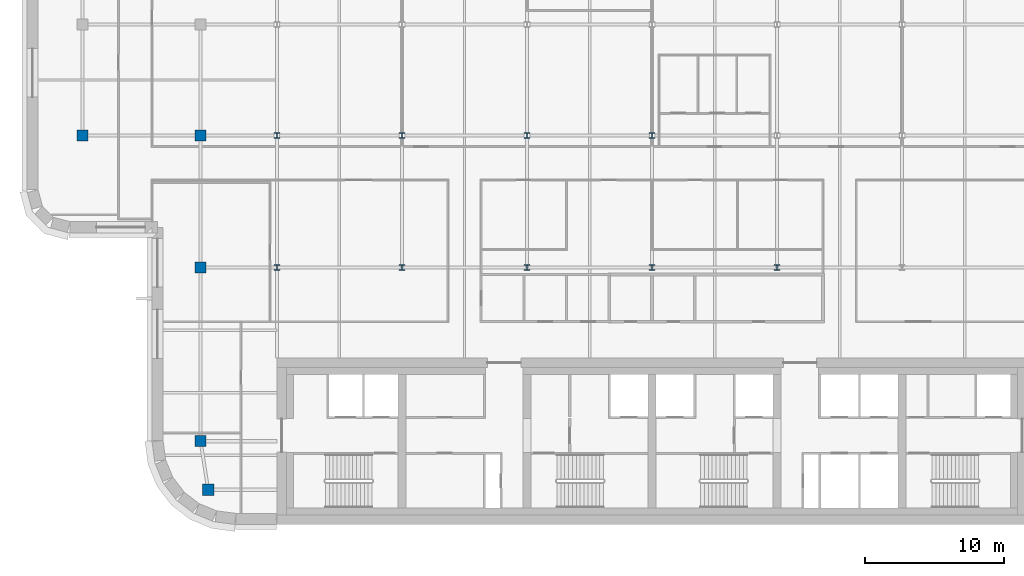
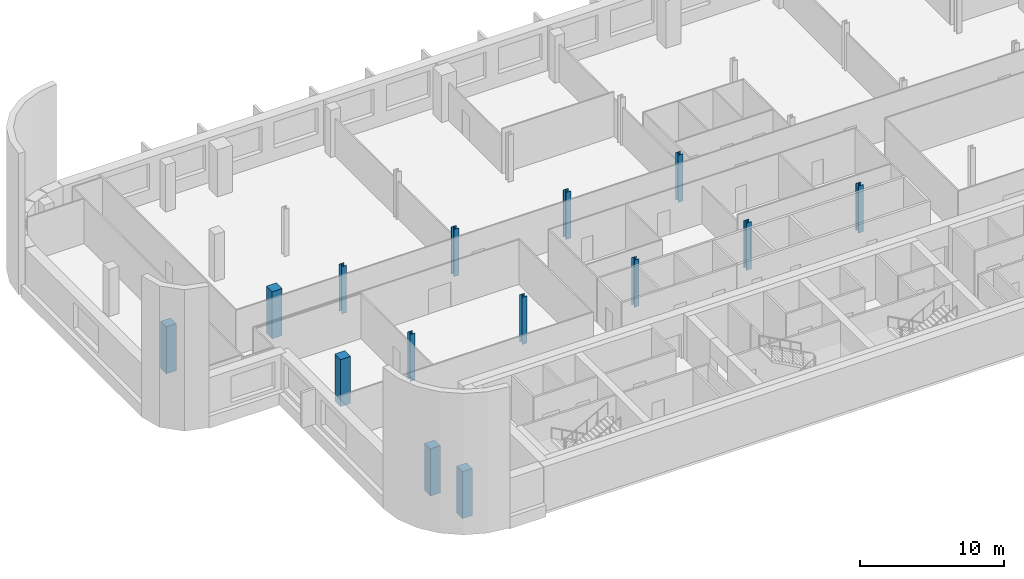
# One storey, part 1 of 16: 14 columns.
"""IFC4 building model written with IfcOpenShell, lengths in metres."""

from ifc_helpers import new_model, si_unit, direction, frame, origin, origin_2d, place, context, subcontext, project, spatial, rectangle, i_section, extrude, material, material_profile, profile_set, type_object, element, save


model = new_model("IFC4")

# Units and contexts
model_context = context("Model", 3, precision=1e-05, world=origin(), true_north=direction((0.0, 1.0)))
body_context = subcontext(model_context, "Body", "Model", "MODEL_VIEW")
ifc_project = project(units=[si_unit("LENGTHUNIT", "METRE"), si_unit("AREAUNIT", "SQUARE_METRE"), si_unit("VOLUMEUNIT", "CUBIC_METRE"), si_unit("PLANEANGLEUNIT", "RADIAN"), si_unit("MASSUNIT", "GRAM", prefix="KILO")], contexts=[model_context])

# Site, building, storey
site_placement = place(None, origin())
site = spatial("IfcSite", under=ifc_project, at=site_placement, CompositionType="ELEMENT")
building_placement = place(site_placement, origin())
building = spatial("IfcBuilding", under=site, at=building_placement, Name="Zellij Exchange Tower", CompositionType="ELEMENT")
storey_placement = place(building_placement, frame((0.0, 0.0, 244.5)))
storey = spatial("IfcBuildingStorey", under=building, at=storey_placement, Name="L57", CompositionType="ELEMENT", Elevation=244.5)

# Columns
ifc_material_1 = material(Name="Concrete C50/60", Category="concrete")
ifc_material_profile_1 = material_profile(ifc_material_1, rectangle(XDim=0.800048828125, YDim=0.800048828125, at=origin_2d()), Name="STR-COLUMN RC800x800 C50/60")
ifc_profile_set_1 = profile_set([ifc_material_profile_1], Name="Concrete C50/60")
column_type_1 = type_object("IfcColumnType", Name="STR-COLUMN RC800x800 C50/60", PredefinedType="COLUMN", material=ifc_profile_set_1)
for number, where, z_axis, x_axis, name in (
    (1, (-31.949951171875, -11.5, 0.0), (0.0, 0.0, 1.0), (1.0, 0.0, 0.0), "C15"),
    (2, (-32.5, -8.0, 0.0), (0.0, 0.0, 1.0), (1.0, 0.0, 0.0), "C15"),
    (3, (-32.5, 4.5, 0.0), (0.0, 0.0, 1.0), (1.0, 0.0, 0.0), "C15"),
    (4, (-41.0, 14.0, 0.0), (0.0, 0.0, 1.0), (1.0, 0.0, 0.0), "C15"),
    (5, (-32.5, 14.0, 0.0), (0.0, 0.0, 1.0), (1.0, 0.0, 0.0), "C15"),
):
    element("IfcColumn", number, at=place(storey_placement, frame(where, z_axis=z_axis, x_axis=x_axis)), inside=storey, type_object=column_type_1, Name=name, PredefinedType="COLUMN", context=body_context, shape_type="SweptSolid", body=[
        extrude(rectangle(XDim=0.800048828125, YDim=0.800048828125, at=origin_2d()), origin(), (0.0, 0.0, 1.0), 4.0),
    ])
ifc_material_2 = material(Name="Structural steel ASTM A992 Gr 50", Category="steel")
ifc_material_profile_2 = material_profile(ifc_material_2, i_section(OverallWidth=0.398681640625, OverallDepth=0.385986328125, WebThickness=0.02099609375, FlangeThickness=0.033203125, at=origin_2d()), Name="W14x176")
ifc_profile_set_2 = profile_set([ifc_material_profile_2], Name="Structural steel ASTM A992 Gr 50")
column_type_2 = type_object("IfcColumnType", Name="STR-COLUMN W14x176", PredefinedType="COLUMN", material=ifc_profile_set_2)
for number, where, z_axis, x_axis, name in (
    (6, (-27.0, 4.5, 0.0), (0.0, 0.0, 1.0), (1.0, 0.0, 0.0), "C2"),
    (7, (-18.0, 4.5, 0.0), (0.0, 0.0, 1.0), (1.0, 0.0, 0.0), "C2"),
    (8, (-9.0, 4.5, 0.0), (0.0, 0.0, 1.0), (1.0, 0.0, 0.0), "C2"),
    (9, (0.0, 4.5, 0.0), (0.0, 0.0, 1.0), (1.0, 0.0, 0.0), "C2"),
    (10, (9.0, 4.5, 0.0), (0.0, 0.0, 1.0), (1.0, 0.0, 0.0), "C2"),
    (11, (-27.0, 14.0, 0.0), (0.0, 0.0, 1.0), (1.0, 0.0, 0.0), "C2"),
    (12, (-18.0, 14.0, 0.0), (0.0, 0.0, 1.0), (1.0, 0.0, 0.0), "C2"),
    (13, (-9.0, 14.0, 0.0), (0.0, 0.0, 1.0), (1.0, 0.0, 0.0), "C2"),
    (14, (0.0, 14.0, 0.0), (0.0, 0.0, 1.0), (1.0, 0.0, 0.0), "C2"),
):
    element("IfcColumn", number, at=place(storey_placement, frame(where, z_axis=z_axis, x_axis=x_axis)), inside=storey, type_object=column_type_2, Name=name, PredefinedType="COLUMN", context=body_context, shape_type="SweptSolid", body=[
        extrude(i_section(OverallWidth=0.398681640625, OverallDepth=0.385986328125, WebThickness=0.02099609375, FlangeThickness=0.033203125, at=origin_2d()), origin(), (0.0, 0.0, 1.0), 4.0),
    ])

save(model, "model.ifc")
